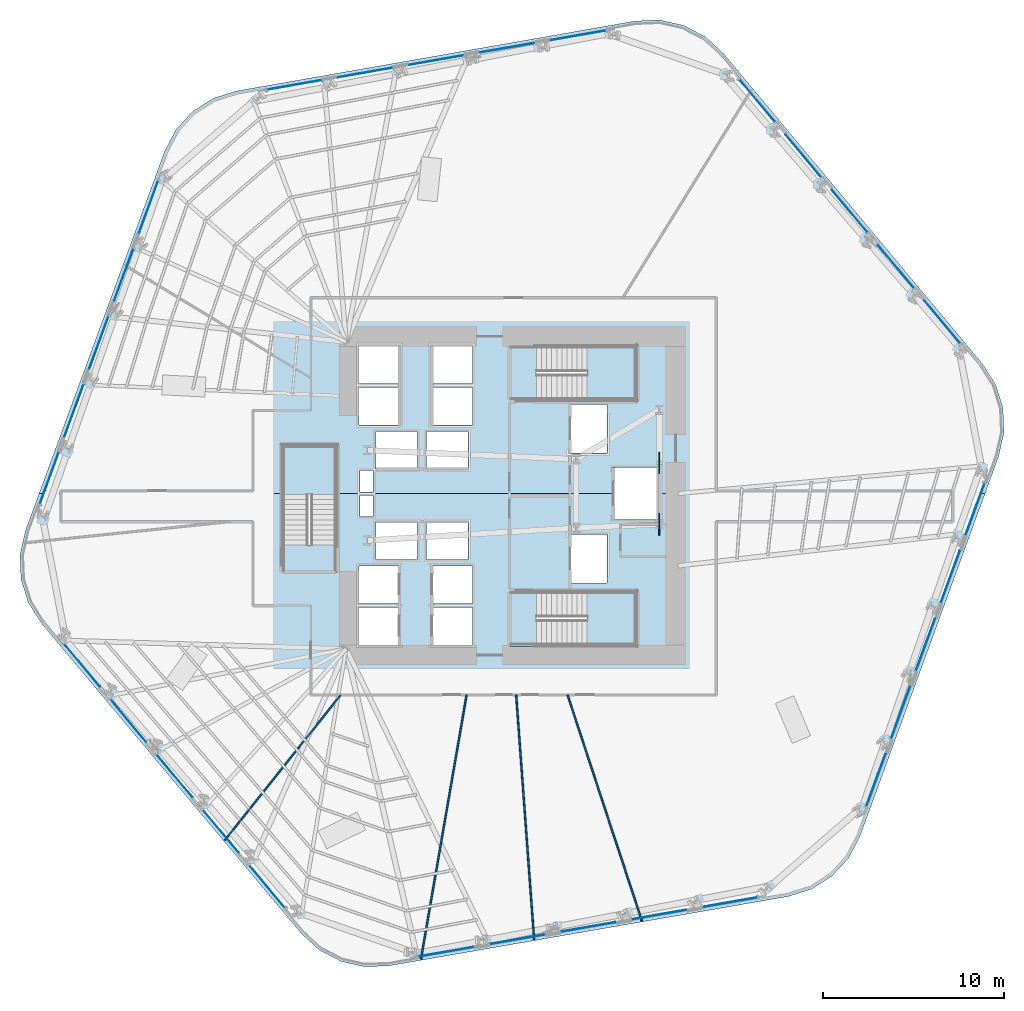
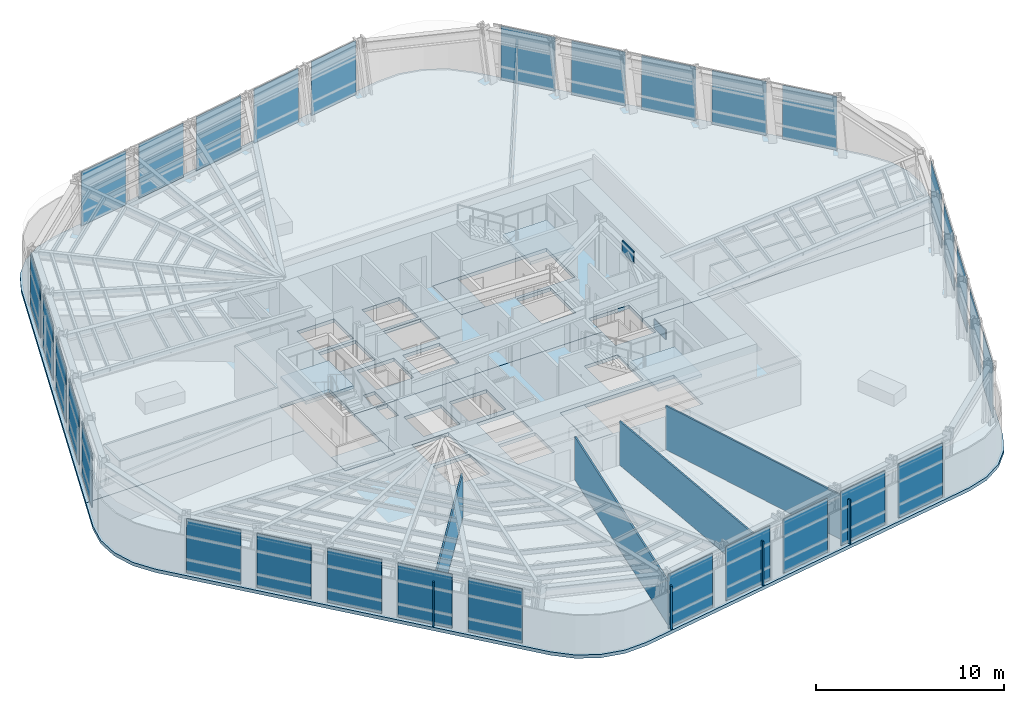
# One storey, part 7 of 16: 32 plates, 8 slabs, 4 walls, 9 elements without a shape of their own.
"""IFC4 building model written with IfcOpenShell, lengths in metres."""

from ifc_helpers import new_model, si_unit, direction, frame, frame_2d, origin, origin_2d, place, context, subcontext, project, spatial, polyline, rectangle, outline, extrude, material, layer, layer_set, type_object, element, aggregate, save


model = new_model("IFC4")

# Units and contexts
model_context = context("Model", 3, precision=1e-05, world=origin(), true_north=direction((0.0, 1.0)))
body_context = subcontext(model_context, "Body", "Model", "MODEL_VIEW")
ifc_project = project(units=[si_unit("LENGTHUNIT", "METRE"), si_unit("AREAUNIT", "SQUARE_METRE"), si_unit("VOLUMEUNIT", "CUBIC_METRE"), si_unit("PLANEANGLEUNIT", "RADIAN"), si_unit("MASSUNIT", "GRAM", prefix="KILO")], contexts=[model_context])

# Site, building, storey
site_placement = place(None, origin())
site = spatial("IfcSite", under=ifc_project, at=site_placement, CompositionType="ELEMENT")
building_placement = place(site_placement, origin())
building = spatial("IfcBuilding", under=site, at=building_placement, Name="Valkerne Bourse Tower", CompositionType="ELEMENT")
storey_placement = place(building_placement, frame((0.0, 0.0, 65.800048828125)))
storey = spatial("IfcBuildingStorey", under=building, at=storey_placement, Name="L16", CompositionType="ELEMENT", Elevation=65.800048828125)

# Curtain wall, plates
ifc_material_1 = material(Name="Aluminium AA 6063-T6", Category="aluminium")
ifc_layer_1 = layer(ifc_material_1, 0.22509765625)
ifc_layer_set_1 = layer_set([ifc_layer_1], Name="Aluminium AA 6063-T6")
curtain_wall_type = type_object("IfcCurtainWallType", Name="CW-01", PredefinedType="NOTDEFINED", material=ifc_layer_set_1)
curtain_wall_1_placement = place(storey_placement, origin())
curtain_wall_1 = element("IfcCurtainWall", 1, at=curtain_wall_1_placement, inside=storey, type_object=curtain_wall_type, Name="L16 Hexagonal Stick Curtain Wall Face 1", PredefinedType="NOTDEFINED")
ifc_material_2 = material(Name="Glass IGU Low-E Double Glazed", Category="glass")
ifc_layer_2 = layer(ifc_material_2, 0.031982421875)
ifc_layer_set_2 = layer_set([ifc_layer_2], Name="Glass IGU Low-E Double Glazed")
plate_type_1 = type_object("IfcPlateType", Name="CW-PNL-IGU-32", PredefinedType="CURTAIN_PANEL", material=ifc_layer_set_2)
plate_1_placement = place(storey_placement, frame((70.6240234375, 36.50244140625, 0.030029296875), z_axis=(0.0, 0.0, 1.0), x_axis=(-0.641458547713, 0.767157696674, 0.0)))
plate_1 = element("IfcPlate", 2, at=plate_1_placement, type_object=plate_type_1, Name="CW-L16-F1 Curtain Panel 00", PredefinedType="CURTAIN_PANEL", context=body_context, shape_type="SweptSolid", body=[
    extrude(rectangle(XDim=3.076171875, YDim=0.031982421875, at=origin_2d()), origin(), (0.0, 0.0, 1.0), 3.52001953125),
])
plate_2_placement = place(storey_placement, frame((68.060791015625, 39.568115234375, 0.030029296875), z_axis=(0.0, 0.0, 1.0), x_axis=(-0.641443819545, 0.767170011384, 0.0)))
plate_2 = element("IfcPlate", 3, at=plate_2_placement, type_object=plate_type_1, Name="CW-L16-F1 Curtain Panel 01", PredefinedType="CURTAIN_PANEL", context=body_context, shape_type="SweptSolid", body=[
    extrude(rectangle(XDim=3.075927734375, YDim=0.031982421875, at=origin_2d()), origin(), (0.0, 0.0, 1.0), 3.52001953125),
])
plate_3_placement = place(storey_placement, frame((65.49755859375, 42.633544921875, 0.030029296875), z_axis=(0.0, 0.0, 1.0), x_axis=(-0.641456134466, 0.767159714503, 0.0)))
plate_3 = element("IfcPlate", 4, at=plate_3_placement, type_object=plate_type_1, Name="CW-L16-F1 Curtain Panel 02", PredefinedType="CURTAIN_PANEL", context=body_context, shape_type="SweptSolid", body=[
    extrude(rectangle(XDim=3.075927734375, YDim=0.031982421875, at=origin_2d()), origin(), (0.0, 0.0, 1.0), 3.52001953125),
])
plate_4_placement = place(storey_placement, frame((62.93408203125, 45.69921875, 0.030029296875), z_axis=(0.0, 0.0, 1.0), x_axis=(-0.641458547713, 0.767157696674, 0.0)))
plate_4 = element("IfcPlate", 5, at=plate_4_placement, type_object=plate_type_1, Name="CW-L16-F1 Curtain Panel 03", PredefinedType="CURTAIN_PANEL", context=body_context, shape_type="SweptSolid", body=[
    extrude(rectangle(XDim=3.076171875, YDim=0.031982421875, at=origin_2d()), origin(), (0.0, 0.0, 1.0), 3.52001953125),
])
plate_5_placement = place(storey_placement, frame((60.37109375, 48.7646484375, 0.030029296875), z_axis=(0.0, 0.0, 1.0), x_axis=(-0.641443819545, 0.767170011384, 0.0)))
plate_5 = element("IfcPlate", 6, at=plate_5_placement, type_object=plate_type_1, Name="CW-L16-F1 Curtain Panel 04", PredefinedType="CURTAIN_PANEL", context=body_context, shape_type="SweptSolid", body=[
    extrude(rectangle(XDim=3.075927734375, YDim=0.031982421875, at=origin_2d()), origin(), (0.0, 0.0, 1.0), 3.52001953125),
])
aggregate(curtain_wall_1, [plate_1, plate_2, plate_3, plate_4, plate_5])

curtain_wall_2_placement = place(storey_placement, origin())
curtain_wall_2 = element("IfcCurtainWall", 7, at=curtain_wall_2_placement, inside=storey, type_object=curtain_wall_type, Name="L16 Hexagonal Stick Curtain Wall Face 2", PredefinedType="NOTDEFINED")
plate_6_placement = place(storey_placement, frame((50.482666015625, 52.38330078125, 0.030029296875), z_axis=(0.0, 0.0, 1.0), x_axis=(-0.985110565094, -0.171922001326, 0.0)))
plate_6 = element("IfcPlate", 8, at=plate_6_placement, type_object=plate_type_1, Name="CW-L16-F2 Curtain Panel 00", PredefinedType="CURTAIN_PANEL", context=body_context, shape_type="SweptSolid", body=[
    extrude(rectangle(XDim=3.075927734375, YDim=0.031982421875, at=origin_2d()), origin(), (0.0, 0.0, 1.0), 3.52001953125),
])
plate_7_placement = place(storey_placement, frame((46.546142578125, 51.6962890625, 0.030029296875), z_axis=(0.0, 0.0, 1.0), x_axis=(-0.985110565094, -0.171922001326, 0.0)))
plate_7 = element("IfcPlate", 9, at=plate_7_placement, type_object=plate_type_1, Name="CW-L16-F2 Curtain Panel 01", PredefinedType="CURTAIN_PANEL", context=body_context, shape_type="SweptSolid", body=[
    extrude(rectangle(XDim=3.075927734375, YDim=0.031982421875, at=origin_2d()), origin(), (0.0, 0.0, 1.0), 3.52001953125),
])
plate_8_placement = place(storey_placement, frame((42.609619140625, 51.00927734375, 0.030029296875), z_axis=(0.0, 0.0, 1.0), x_axis=(-0.985106326518, -0.171946286536, 0.0)))
plate_8 = element("IfcPlate", 10, at=plate_8_placement, type_object=plate_type_1, Name="CW-L16-F2 Curtain Panel 02", PredefinedType="CURTAIN_PANEL", context=body_context, shape_type="SweptSolid", body=[
    extrude(rectangle(XDim=3.075927734375, YDim=0.031982421875, at=origin_2d()), origin(), (0.0, 0.0, 1.0), 3.52001953125),
])
plate_9_placement = place(storey_placement, frame((38.673095703125, 50.322265625, 0.030029296875), z_axis=(0.0, 0.0, 1.0), x_axis=(-0.985110565094, -0.171922001326, 0.0)))
plate_9 = element("IfcPlate", 11, at=plate_9_placement, type_object=plate_type_1, Name="CW-L16-F2 Curtain Panel 03", PredefinedType="CURTAIN_PANEL", context=body_context, shape_type="SweptSolid", body=[
    extrude(rectangle(XDim=3.075927734375, YDim=0.031982421875, at=origin_2d()), origin(), (0.0, 0.0, 1.0), 3.52001953125),
])
plate_10_placement = place(storey_placement, frame((34.73681640625, 49.63525390625, 0.030029296875), z_axis=(0.0, 0.0, 1.0), x_axis=(-0.985110565094, -0.171922001326, 0.0)))
plate_10 = element("IfcPlate", 12, at=plate_10_placement, type_object=plate_type_1, Name="CW-L16-F2 Curtain Panel 04", PredefinedType="CURTAIN_PANEL", context=body_context, shape_type="SweptSolid", body=[
    extrude(rectangle(XDim=3.075927734375, YDim=0.031982421875, at=origin_2d()), origin(), (0.0, 0.0, 1.0), 3.52001953125),
])
aggregate(curtain_wall_2, [plate_6, plate_7, plate_8, plate_9, plate_10])

curtain_wall_3_placement = place(storey_placement, origin())
curtain_wall_3 = element("IfcCurtainWall", 13, at=curtain_wall_3_placement, inside=storey, type_object=curtain_wall_type, Name="L16 Hexagonal Stick Curtain Wall Face 3", PredefinedType="NOTDEFINED")
plate_11_placement = place(storey_placement, frame((26.65869140625, 42.881103515625, 0.030029296875), z_axis=(0.0, 0.0, 1.0), x_axis=(-0.343661198738, -0.939093701652, 0.0)))
plate_11 = element("IfcPlate", 14, at=plate_11_placement, type_object=plate_type_1, Name="CW-L16-F3 Curtain Panel 00", PredefinedType="CURTAIN_PANEL", context=body_context, shape_type="SweptSolid", body=[
    extrude(rectangle(XDim=3.076171875, YDim=0.031982421875, at=origin_2d()), origin(), (0.0, 0.0, 1.0), 3.52001953125),
])
plate_12_placement = place(storey_placement, frame((25.285400390625, 39.12841796875, 0.030029296875), z_axis=(0.0, 0.0, 1.0), x_axis=(-0.343669275067, -0.939090746081, 0.0)))
plate_12 = element("IfcPlate", 15, at=plate_12_placement, type_object=plate_type_1, Name="CW-L16-F3 Curtain Panel 01", PredefinedType="CURTAIN_PANEL", context=body_context, shape_type="SweptSolid", body=[
    extrude(rectangle(XDim=3.075927734375, YDim=0.031982421875, at=origin_2d()), origin(), (0.0, 0.0, 1.0), 3.52001953125),
])
plate_13_placement = place(storey_placement, frame((23.912109375, 35.375732421875, 0.030029296875), z_axis=(0.0, 0.0, 1.0), x_axis=(-0.343647205386, -0.939098822398, 0.0)))
plate_13 = element("IfcPlate", 16, at=plate_13_placement, type_object=plate_type_1, Name="CW-L16-F3 Curtain Panel 02", PredefinedType="CURTAIN_PANEL", context=body_context, shape_type="SweptSolid", body=[
    extrude(rectangle(XDim=3.075927734375, YDim=0.031982421875, at=origin_2d()), origin(), (0.0, 0.0, 1.0), 3.52001953125),
])
plate_14_placement = place(storey_placement, frame((22.5390625, 31.623046875, 0.030029296875), z_axis=(0.0, 0.0, 1.0), x_axis=(-0.343669275067, -0.939090746081, 0.0)))
plate_14 = element("IfcPlate", 17, at=plate_14_placement, type_object=plate_type_1, Name="CW-L16-F3 Curtain Panel 03", PredefinedType="CURTAIN_PANEL", context=body_context, shape_type="SweptSolid", body=[
    extrude(rectangle(XDim=3.075927734375, YDim=0.031982421875, at=origin_2d()), origin(), (0.0, 0.0, 1.0), 3.52001953125),
])
plate_15_placement = place(storey_placement, frame((21.16552734375, 27.87060546875, 0.030029296875), z_axis=(0.0, 0.0, 1.0), x_axis=(-0.343661198738, -0.939093701652, 0.0)))
plate_15 = element("IfcPlate", 18, at=plate_15_placement, type_object=plate_type_1, Name="CW-L16-F3 Curtain Panel 04", PredefinedType="CURTAIN_PANEL", context=body_context, shape_type="SweptSolid", body=[
    extrude(rectangle(XDim=3.076171875, YDim=0.031982421875, at=origin_2d()), origin(), (0.0, 0.0, 1.0), 3.52001953125),
])
aggregate(curtain_wall_3, [plate_11, plate_12, plate_13, plate_14, plate_15])

curtain_wall_4_placement = place(storey_placement, origin())
curtain_wall_4 = element("IfcCurtainWall", 19, at=curtain_wall_4_placement, inside=storey, type_object=curtain_wall_type, Name="L16 Hexagonal Stick Curtain Wall Face 4", PredefinedType="NOTDEFINED")
plate_16_placement = place(storey_placement, frame((22.97607421875, 17.49755859375, 0.030029296875), z_axis=(0.0, 0.0, 1.0), x_axis=(0.641458547713, -0.767157696674, 0.0)))
plate_16 = element("IfcPlate", 20, at=plate_16_placement, type_object=plate_type_1, Name="CW-L16-F4 Curtain Panel 00", PredefinedType="CURTAIN_PANEL", context=body_context, shape_type="SweptSolid", body=[
    extrude(rectangle(XDim=3.076171875, YDim=0.031982421875, at=origin_2d()), origin(), (0.0, 0.0, 1.0), 3.52001953125),
])
plate_17_placement = place(storey_placement, frame((25.539306640625, 14.431884765625, 0.030029296875), z_axis=(0.0, 0.0, 1.0), x_axis=(0.641443819545, -0.767170011384, 0.0)))
plate_17 = element("IfcPlate", 21, at=plate_17_placement, type_object=plate_type_1, Name="CW-L16-F4 Curtain Panel 01", PredefinedType="CURTAIN_PANEL", context=body_context, shape_type="SweptSolid", body=[
    extrude(rectangle(XDim=3.075927734375, YDim=0.031982421875, at=origin_2d()), origin(), (0.0, 0.0, 1.0), 3.52001953125),
])
plate_18_placement = place(storey_placement, frame((28.1025390625, 11.366455078125, 0.030029296875), z_axis=(0.0, 0.0, 1.0), x_axis=(0.641456134466, -0.767159714503, 0.0)))
plate_18 = element("IfcPlate", 22, at=plate_18_placement, type_object=plate_type_1, Name="CW-L16-F4 Curtain Panel 02", PredefinedType="CURTAIN_PANEL", context=body_context, shape_type="SweptSolid", body=[
    extrude(rectangle(XDim=3.075927734375, YDim=0.031982421875, at=origin_2d()), origin(), (0.0, 0.0, 1.0), 3.52001953125),
])
plate_19_placement = place(storey_placement, frame((30.665771484375, 8.30078125, 0.030029296875), z_axis=(0.0, 0.0, 1.0), x_axis=(0.641458547713, -0.767157696674, 0.0)))
plate_19 = element("IfcPlate", 23, at=plate_19_placement, type_object=plate_type_1, Name="CW-L16-F4 Curtain Panel 03", PredefinedType="CURTAIN_PANEL", context=body_context, shape_type="SweptSolid", body=[
    extrude(rectangle(XDim=3.076171875, YDim=0.031982421875, at=origin_2d()), origin(), (0.0, 0.0, 1.0), 3.52001953125),
])
plate_20_placement = place(storey_placement, frame((33.22900390625, 5.2353515625, 0.030029296875), z_axis=(0.0, 0.0, 1.0), x_axis=(0.641443819545, -0.767170011384, 0.0)))
plate_20 = element("IfcPlate", 24, at=plate_20_placement, type_object=plate_type_1, Name="CW-L16-F4 Curtain Panel 04", PredefinedType="CURTAIN_PANEL", context=body_context, shape_type="SweptSolid", body=[
    extrude(rectangle(XDim=3.075927734375, YDim=0.031982421875, at=origin_2d()), origin(), (0.0, 0.0, 1.0), 3.52001953125),
])
aggregate(curtain_wall_4, [plate_16, plate_17, plate_18, plate_19, plate_20])

curtain_wall_5_placement = place(storey_placement, origin())
curtain_wall_5 = element("IfcCurtainWall", 25, at=curtain_wall_5_placement, inside=storey, type_object=curtain_wall_type, Name="L16 Hexagonal Stick Curtain Wall Face 5", PredefinedType="NOTDEFINED")
plate_21_placement = place(storey_placement, frame((43.1171875, 1.61669921875, 0.030029296875), z_axis=(0.0, 0.0, 1.0), x_axis=(0.985110565094, 0.171922001326, 0.0)))
plate_21 = element("IfcPlate", 26, at=plate_21_placement, type_object=plate_type_1, Name="CW-L16-F5 Curtain Panel 00", PredefinedType="CURTAIN_PANEL", context=body_context, shape_type="SweptSolid", body=[
    extrude(rectangle(XDim=3.075927734375, YDim=0.031982421875, at=origin_2d()), origin(), (0.0, 0.0, 1.0), 3.52001953125),
])
plate_22_placement = place(storey_placement, frame((47.0537109375, 2.3037109375, 0.030029296875), z_axis=(0.0, 0.0, 1.0), x_axis=(0.985110565094, 0.171922001326, 0.0)))
plate_22 = element("IfcPlate", 27, at=plate_22_placement, type_object=plate_type_1, Name="CW-L16-F5 Curtain Panel 01", PredefinedType="CURTAIN_PANEL", context=body_context, shape_type="SweptSolid", body=[
    extrude(rectangle(XDim=3.075927734375, YDim=0.031982421875, at=origin_2d()), origin(), (0.0, 0.0, 1.0), 3.52001953125),
])
plate_23_placement = place(storey_placement, frame((50.990234375, 2.99072265625, 0.030029296875), z_axis=(0.0, 0.0, 1.0), x_axis=(0.985106326518, 0.171946286536, 0.0)))
plate_23 = element("IfcPlate", 28, at=plate_23_placement, type_object=plate_type_1, Name="CW-L16-F5 Curtain Panel 02", PredefinedType="CURTAIN_PANEL", context=body_context, shape_type="SweptSolid", body=[
    extrude(rectangle(XDim=3.075927734375, YDim=0.031982421875, at=origin_2d()), origin(), (0.0, 0.0, 1.0), 3.52001953125),
])
plate_24_placement = place(storey_placement, frame((54.9267578125, 3.677734375, 0.030029296875), z_axis=(0.0, 0.0, 1.0), x_axis=(0.985110565094, 0.171922001326, 0.0)))
plate_24 = element("IfcPlate", 29, at=plate_24_placement, type_object=plate_type_1, Name="CW-L16-F5 Curtain Panel 03", PredefinedType="CURTAIN_PANEL", context=body_context, shape_type="SweptSolid", body=[
    extrude(rectangle(XDim=3.075927734375, YDim=0.031982421875, at=origin_2d()), origin(), (0.0, 0.0, 1.0), 3.52001953125),
])
plate_25_placement = place(storey_placement, frame((58.86328125, 4.36474609375, 0.030029296875), z_axis=(0.0, 0.0, 1.0), x_axis=(0.985110565094, 0.171922001326, 0.0)))
plate_25 = element("IfcPlate", 30, at=plate_25_placement, type_object=plate_type_1, Name="CW-L16-F5 Curtain Panel 04", PredefinedType="CURTAIN_PANEL", context=body_context, shape_type="SweptSolid", body=[
    extrude(rectangle(XDim=3.075927734375, YDim=0.031982421875, at=origin_2d()), origin(), (0.0, 0.0, 1.0), 3.52001953125),
])
aggregate(curtain_wall_5, [plate_21, plate_22, plate_23, plate_24, plate_25])

curtain_wall_6_placement = place(storey_placement, origin())
curtain_wall_6 = element("IfcCurtainWall", 31, at=curtain_wall_6_placement, inside=storey, type_object=curtain_wall_type, Name="L16 Hexagonal Stick Curtain Wall Face 6", PredefinedType="NOTDEFINED")
plate_26_placement = place(storey_placement, frame((66.941162109375, 11.118896484375, 0.030029296875), z_axis=(0.0, 0.0, 1.0), x_axis=(0.343661198738, 0.939093701652, 0.0)))
plate_26 = element("IfcPlate", 32, at=plate_26_placement, type_object=plate_type_1, Name="CW-L16-F6 Curtain Panel 00", PredefinedType="CURTAIN_PANEL", context=body_context, shape_type="SweptSolid", body=[
    extrude(rectangle(XDim=3.076171875, YDim=0.031982421875, at=origin_2d()), origin(), (0.0, 0.0, 1.0), 3.52001953125),
])
plate_27_placement = place(storey_placement, frame((68.314453125, 14.87158203125, 0.030029296875), z_axis=(0.0, 0.0, 1.0), x_axis=(0.343669275067, 0.939090746081, 0.0)))
plate_27 = element("IfcPlate", 33, at=plate_27_placement, type_object=plate_type_1, Name="CW-L16-F6 Curtain Panel 01", PredefinedType="CURTAIN_PANEL", context=body_context, shape_type="SweptSolid", body=[
    extrude(rectangle(XDim=3.075927734375, YDim=0.031982421875, at=origin_2d()), origin(), (0.0, 0.0, 1.0), 3.52001953125),
])
plate_28_placement = place(storey_placement, frame((69.687744140625, 18.624267578125, 0.030029296875), z_axis=(0.0, 0.0, 1.0), x_axis=(0.343647205386, 0.939098822398, 0.0)))
plate_28 = element("IfcPlate", 34, at=plate_28_placement, type_object=plate_type_1, Name="CW-L16-F6 Curtain Panel 02", PredefinedType="CURTAIN_PANEL", context=body_context, shape_type="SweptSolid", body=[
    extrude(rectangle(XDim=3.075927734375, YDim=0.031982421875, at=origin_2d()), origin(), (0.0, 0.0, 1.0), 3.52001953125),
])
plate_29_placement = place(storey_placement, frame((71.06103515625, 22.376708984375, 0.030029296875), z_axis=(0.0, 0.0, 1.0), x_axis=(0.343669275067, 0.939090746081, 0.0)))
plate_29 = element("IfcPlate", 35, at=plate_29_placement, type_object=plate_type_1, Name="CW-L16-F6 Curtain Panel 03", PredefinedType="CURTAIN_PANEL", context=body_context, shape_type="SweptSolid", body=[
    extrude(rectangle(XDim=3.075927734375, YDim=0.031982421875, at=origin_2d()), origin(), (0.0, 0.0, 1.0), 3.52001953125),
])
plate_30_placement = place(storey_placement, frame((72.434326171875, 26.12939453125, 0.030029296875), z_axis=(0.0, 0.0, 1.0), x_axis=(0.343661198738, 0.939093701652, 0.0)))
plate_30 = element("IfcPlate", 36, at=plate_30_placement, type_object=plate_type_1, Name="CW-L16-F6 Curtain Panel 04", PredefinedType="CURTAIN_PANEL", context=body_context, shape_type="SweptSolid", body=[
    extrude(rectangle(XDim=3.076171875, YDim=0.031982421875, at=origin_2d()), origin(), (0.0, 0.0, 1.0), 3.52001953125),
])
aggregate(curtain_wall_6, [plate_26, plate_27, plate_28, plate_29, plate_30])

# Plates
ifc_material_3 = material(Name="Steel ASTM A572 Grade 50", Category="steel")
ifc_layer_3 = layer(ifc_material_3, 0.06005859375)
ifc_layer_set_3 = layer_set([ifc_layer_3], Name="Steel ASTM A572 Grade 50")
plate_type_2 = type_object("IfcPlateType", Name="PLT-GUS-60", PredefinedType="SHEET", material=ifc_layer_set_3)
for number, where, z_axis, x_axis, name in (
    (37, (54.949951171875, 25.300048828125, -0.18017578125), (0.0, 0.0, 1.0), (0.0, 1.0, 0.0), "L16 Brace Node Gusset Plate PLT-GUS-END-L16-348"),
    (38, (54.949951171875, 28.699951171875, 2.8740234375), (0.0, 0.0, 1.0), (0.0, 1.0, 0.0), "L16 Brace Node Gusset Plate PLT-GUS-END-L16-349"),
):
    element("IfcPlate", number, at=place(storey_placement, frame(where, z_axis=z_axis, x_axis=x_axis)), inside=storey, type_object=plate_type_2, Name=name, PredefinedType="SHEET", context=body_context, shape_type="SweptSolid", body=[
        extrude(rectangle(XDim=1.199951171875, YDim=0.06005859375, at=origin_2d()), origin(), (0.0, 0.0, 1.0), 0.800048828125),
    ])

# Slabs
ifc_material_4 = material(Name="Concrete C40/50", Category="concrete")
ifc_layer_4 = layer(ifc_material_4, 0.25)
ifc_layer_set_4 = layer_set([ifc_layer_4], Name="Concrete C40/50")
slab_type_1 = type_object("IfcSlabType", Name="SLB-RMP-LND-250", PredefinedType="LANDING", material=ifc_layer_set_4)
slab_1_placement = place(storey_placement, frame((0.0, 0.0, -0.219970703125)))
element("IfcSlab", 39, at=slab_1_placement, inside=storey, type_object=slab_type_1, Name="L16 ST-1 Floor Landing Slab", PredefinedType="LANDING", context=body_context, shape_type="SweptSolid", body=[
    extrude(outline(polyline([(46.669921875, 18.5400390625), (48.14990234375, 18.5400390625), (48.14990234375, 21.610107421875), (46.669921875, 21.610107421875), (46.669921875, 18.5400390625)])), origin(), (0.0, 0.0, 1.0), 0.219970703125),
])
slab_2_placement = place(storey_placement, frame((0.0, 0.0, -0.219970703125)))
element("IfcSlab", 40, at=slab_2_placement, inside=storey, type_object=slab_type_1, Name="L16 ST-2 Floor Landing Slab", PredefinedType="LANDING", context=body_context, shape_type="SweptSolid", body=[
    extrude(outline(polyline([(46.669921875, 32.139892578125), (48.14990234375, 32.139892578125), (48.14990234375, 35.2099609375), (46.669921875, 35.2099609375), (46.669921875, 32.139892578125)])), origin(), (0.0, 0.0, 1.0), 0.219970703125),
])
slab_3_placement = place(storey_placement, frame((0.0, 0.0, -0.219970703125)))
element("IfcSlab", 41, at=slab_3_placement, inside=storey, type_object=slab_type_1, Name="L16 ST-3 Floor Landing Slab", PredefinedType="LANDING", context=body_context, shape_type="SweptSolid", body=[
    extrude(outline(polyline([(37.110107421875, 22.669921875), (37.110107421875, 24.14990234375), (34.0400390625, 24.14990234375), (34.0400390625, 22.669921875), (37.110107421875, 22.669921875)])), origin(), (0.0, 0.0, 1.0), 0.219970703125),
])

# Stair, slab
stair_type = type_object("IfcStairType", Name="ST-CORE-1400", PredefinedType="HALF_TURN_STAIR", material=ifc_material_4)
stair_1_placement = place(storey_placement, origin())
stair_1 = element("IfcStair", 42, at=stair_1_placement, inside=storey, type_object=stair_type, Name="L16 ST-1", PredefinedType="HALF_TURN_STAIR")
ifc_layer_5 = layer(ifc_material_4, 0.179931640625)
ifc_layer_set_5 = layer_set([ifc_layer_5], Name="Concrete C40/50")
slab_type_2 = type_object("IfcSlabType", Name="SLB-ST-LND-180", PredefinedType="LANDING", material=ifc_layer_set_5)
slab_4_placement = place(storey_placement, frame((0.0, 0.0, 1.699951171875)))
slab_4 = element("IfcSlab", 43, at=slab_4_placement, type_object=slab_type_2, Name="ST-1 landing 1", PredefinedType="LANDING", context=body_context, shape_type="SweptSolid", body=[
    extrude(outline(polyline([(50.949951171875, 18.60009765625), (53.64990234375, 18.60009765625), (53.64990234375, 21.550048828125), (50.949951171875, 21.550048828125), (50.949951171875, 18.60009765625)])), origin(), (0.0, 0.0, 1.0), 0.199951171875),
])
aggregate(stair_1, [slab_4])

stair_2_placement = place(storey_placement, origin())
stair_2 = element("IfcStair", 44, at=stair_2_placement, inside=storey, type_object=stair_type, Name="L16 ST-2", PredefinedType="HALF_TURN_STAIR")
slab_5_placement = place(storey_placement, frame((0.0, 0.0, 1.699951171875)))
slab_5 = element("IfcSlab", 45, at=slab_5_placement, type_object=slab_type_2, Name="ST-2 landing 1", PredefinedType="LANDING", context=body_context, shape_type="SweptSolid", body=[
    extrude(outline(polyline([(50.949951171875, 32.199951171875), (53.64990234375, 32.199951171875), (53.64990234375, 35.14990234375), (50.949951171875, 35.14990234375), (50.949951171875, 32.199951171875)])), origin(), (0.0, 0.0, 1.0), 0.199951171875),
])
aggregate(stair_2, [slab_5])

stair_3_placement = place(storey_placement, origin())
stair_3 = element("IfcStair", 46, at=stair_3_placement, inside=storey, type_object=stair_type, Name="L16 ST-3", PredefinedType="HALF_TURN_STAIR")
slab_6_placement = place(storey_placement, frame((0.0, 0.0, 1.699951171875)))
slab_6 = element("IfcSlab", 47, at=slab_6_placement, type_object=slab_type_2, Name="ST-3 landing 1", PredefinedType="LANDING", context=body_context, shape_type="SweptSolid", body=[
    extrude(outline(polyline([(37.050048828125, 26.949951171875), (37.050048828125, 29.64990234375), (34.10009765625, 29.64990234375), (34.10009765625, 26.949951171875), (37.050048828125, 26.949951171875)])), origin(), (0.0, 0.0, 1.0), 0.199951171875),
])
aggregate(stair_3, [slab_6])

# Slabs
ifc_layer_6 = layer(ifc_material_4, 0.219970703125)
ifc_layer_set_6 = layer_set([ifc_layer_6], Name="Concrete C40/50")
slab_type_3 = type_object("IfcSlabType", Name="SLB-TOW-220", PredefinedType="FLOOR", material=ifc_layer_set_6)
slab_7_placement = place(storey_placement, frame((0.0, 0.0, -0.219970703125)))
element("IfcSlab", 48, at=slab_7_placement, inside=storey, type_object=slab_type_3, Name="L16 Hexagonal Composite Floor Slab S", PredefinedType="FLOOR", context=body_context, shape_type="SweptSolid", body=[
    extrude(outline(polyline([(65.434814453125, 6.81103515625), (64.51611328125, 5.811767578125), (63.3701171875, 5.08447265625), (62.07470703125, 4.678466796875), (39.99755859375, 0.845947265625), (38.641357421875, 0.7890625), (37.31640625, 1.085205078125), (36.113525390625, 1.714111328125), (35.1142578125, 2.6328125), (20.7255859375, 19.81005859375), (19.998291015625, 20.956298828125), (19.59228515625, 22.25146484375), (19.53564453125, 23.60791015625), (19.831787109375, 24.9326171875), (20.59033203125, 27.0), (34.034912109375, 27.0), (34.034912109375, 22.6650390625), (37.114990234375, 22.6650390625), (37.114990234375, 27.0), (52.360107421875, 27.0), (52.360107421875, 25.56005859375), (54.840087890625, 25.56005859375), (54.840087890625, 27.0), (72.992431640625, 27.0), (66.06396484375, 8.013916015625), (65.434814453125, 6.81103515625)]), holes=[polyline([(40.590087890625, 20.68994140625), (38.31005859375, 20.68994140625), (38.31005859375, 18.610107421875), (40.590087890625, 18.610107421875), (40.590087890625, 20.68994140625)]), polyline([(40.590087890625, 22.989990234375), (38.31005859375, 22.989990234375), (38.31005859375, 20.909912109375), (40.590087890625, 20.909912109375), (40.590087890625, 22.989990234375)]), polyline([(41.5400390625, 25.43994140625), (39.260009765625, 25.43994140625), (39.260009765625, 23.360107421875), (41.5400390625, 23.360107421875), (41.5400390625, 25.43994140625)]), polyline([(39.10009765625, 25.72998046875), (39.10009765625, 26.89990234375), (38.3798828125, 26.89990234375), (38.3798828125, 25.72998046875), (39.10009765625, 25.72998046875)]), polyline([(44.590087890625, 20.68994140625), (42.31005859375, 20.68994140625), (42.31005859375, 18.610107421875), (44.590087890625, 18.610107421875), (44.590087890625, 20.68994140625)]), polyline([(53.675048828125, 21.614990234375), (46.6650390625, 21.614990234375), (46.6650390625, 18.534912109375), (53.675048828125, 18.534912109375), (53.675048828125, 21.614990234375)]), polyline([(44.590087890625, 22.989990234375), (42.31005859375, 22.989990234375), (42.31005859375, 20.909912109375), (44.590087890625, 20.909912109375), (44.590087890625, 22.989990234375)]), polyline([(52.0400390625, 22.06005859375), (52.0400390625, 24.739990234375), (49.9599609375, 24.739990234375), (49.9599609375, 22.06005859375), (52.0400390625, 22.06005859375)]), polyline([(44.340087890625, 23.360107421875), (44.340087890625, 25.43994140625), (42.06005859375, 25.43994140625), (42.06005859375, 23.360107421875), (44.340087890625, 23.360107421875)])]), origin(), (0.0, 0.0, 1.0), 0.219970703125),
])
slab_8_placement = place(storey_placement, frame((0.0, 0.0, -0.219970703125)))
element("IfcSlab", 49, at=slab_8_placement, inside=storey, type_object=slab_type_3, Name="L16 Hexagonal Composite Floor Slab N", PredefinedType="FLOOR", context=body_context, shape_type="SweptSolid", body=[
    extrude(outline(polyline([(27.551025390625, 45.968017578125), (28.179931640625, 47.171142578125), (29.098876953125, 48.17041015625), (30.2451171875, 48.897705078125), (31.540283203125, 49.3037109375), (53.6103515625, 53.176025390625), (54.966796875, 53.23291015625), (56.29150390625, 52.936767578125), (57.494384765625, 52.307861328125), (58.49365234375, 51.388916015625), (72.851318359375, 34.18603515625), (73.57861328125, 33.039794921875), (73.984619140625, 31.744384765625), (74.04150390625, 30.38818359375), (73.745361328125, 29.0634765625), (72.992431640625, 27.0), (54.840087890625, 27.0), (54.840087890625, 28.43994140625), (52.360107421875, 28.43994140625), (52.360107421875, 27.0), (37.114990234375, 27.0), (37.114990234375, 29.675048828125), (34.034912109375, 29.675048828125), (34.034912109375, 27.0), (20.59033203125, 27.0), (27.551025390625, 45.968017578125)]), holes=[polyline([(39.10009765625, 28.27001953125), (38.3798828125, 28.27001953125), (38.3798828125, 27.10009765625), (39.10009765625, 27.10009765625), (39.10009765625, 28.27001953125)]), polyline([(41.5400390625, 30.43994140625), (39.260009765625, 30.43994140625), (39.260009765625, 28.360107421875), (41.5400390625, 28.360107421875), (41.5400390625, 30.43994140625)]), polyline([(44.340087890625, 30.43994140625), (42.06005859375, 30.43994140625), (42.06005859375, 28.360107421875), (44.340087890625, 28.360107421875), (44.340087890625, 30.43994140625)]), polyline([(40.590087890625, 30.81005859375), (40.590087890625, 32.889892578125), (38.31005859375, 32.889892578125), (38.31005859375, 30.81005859375), (40.590087890625, 30.81005859375)]), polyline([(40.590087890625, 33.110107421875), (40.590087890625, 35.18994140625), (38.31005859375, 35.18994140625), (38.31005859375, 33.110107421875), (40.590087890625, 33.110107421875)]), polyline([(52.0400390625, 31.93994140625), (49.9599609375, 31.93994140625), (49.9599609375, 29.260009765625), (52.0400390625, 29.260009765625), (52.0400390625, 31.93994140625)]), polyline([(44.590087890625, 32.889892578125), (42.31005859375, 32.889892578125), (42.31005859375, 30.81005859375), (44.590087890625, 30.81005859375), (44.590087890625, 32.889892578125)]), polyline([(53.675048828125, 32.135009765625), (53.675048828125, 35.215087890625), (46.6650390625, 35.215087890625), (46.6650390625, 32.135009765625), (53.675048828125, 32.135009765625)]), polyline([(44.590087890625, 33.110107421875), (44.590087890625, 35.18994140625), (42.31005859375, 35.18994140625), (42.31005859375, 33.110107421875), (44.590087890625, 33.110107421875)])]), origin(), (0.0, 0.0, 1.0), 0.219970703125),
])

# Walls
ifc_material_5 = material(Name="Gypsum Board Steel-Stud Partition", Category="steel")
ifc_layer_7 = layer(ifc_material_5, 0.092041015625)
ifc_layer_set_7 = layer_set([ifc_layer_7], Name="Gypsum Board Steel-Stud Partition")
wall_type = type_object("IfcWallType", Name="W-PART-115", PredefinedType="PARTITIONING", material=ifc_layer_set_7)
wall_1_placement = place(storey_placement, frame((44.273193359375, 15.844970703125, 0.0), z_axis=(0.0, 0.0, 1.0), x_axis=(-0.170214302609, -0.985407068773, 0.0)))
element("IfcWall", 50, at=wall_1_placement, inside=storey, type_object=wall_type, Name="L16 Suite Partition P01", PredefinedType="PARTITIONING", context=body_context, shape_type="SweptSolid", body=[
    extrude(rectangle(XDim=14.8408203125, YDim=0.092041015625, at=frame_2d((7.42041015625, 0.0))), origin(), (0.0, 0.0, 1.0), 2.80029296875),
])
wall_2_placement = place(storey_placement, frame((47.019287109375, 15.844970703125, 0.0), z_axis=(0.0, 0.0, 1.0), x_axis=(0.073226992268, -0.997315299995, 0.0)))
element("IfcWall", 51, at=wall_2_placement, inside=storey, type_object=wall_type, Name="L16 Suite Partition P02", PredefinedType="PARTITIONING", context=body_context, shape_type="SweptSolid", body=[
    extrude(rectangle(XDim=13.57275390625, YDim=0.092041015625, at=frame_2d((6.786376953125, 0.0))), origin(), (0.0, 0.0, 1.0), 2.86376953125),
])
wall_3_placement = place(storey_placement, frame((49.86767578125, 15.844970703125, 0.0), z_axis=(0.0, 0.0, 1.0), x_axis=(0.312334606909, -0.949972153975, 0.0)))
element("IfcWall", 52, at=wall_3_placement, inside=storey, type_object=wall_type, Name="L16 Suite Partition P03", PredefinedType="PARTITIONING", context=body_context, shape_type="SweptSolid", body=[
    extrude(rectangle(XDim=13.159423828125, YDim=0.092041015625, at=frame_2d((6.57958984375, 0.0))), origin(), (0.0, 0.0, 1.0), 2.86376953125),
])
wall_4_placement = place(storey_placement, frame((37.298583984375, 15.844970703125, 0.0), z_axis=(0.0, 0.0, 1.0), x_axis=(-0.623728506399, -0.78164106232, 0.0)))
element("IfcWall", 53, at=wall_4_placement, inside=storey, type_object=wall_type, Name="L16 Suite Partition P07", PredefinedType="PARTITIONING", context=body_context, shape_type="SweptSolid", body=[
    extrude(rectangle(XDim=10.293701171875, YDim=0.092041015625, at=frame_2d((5.14697265625, 0.0))), origin(), (0.0, 0.0, 1.0), 2.86376953125),
])

save(model, "model.ifc")
